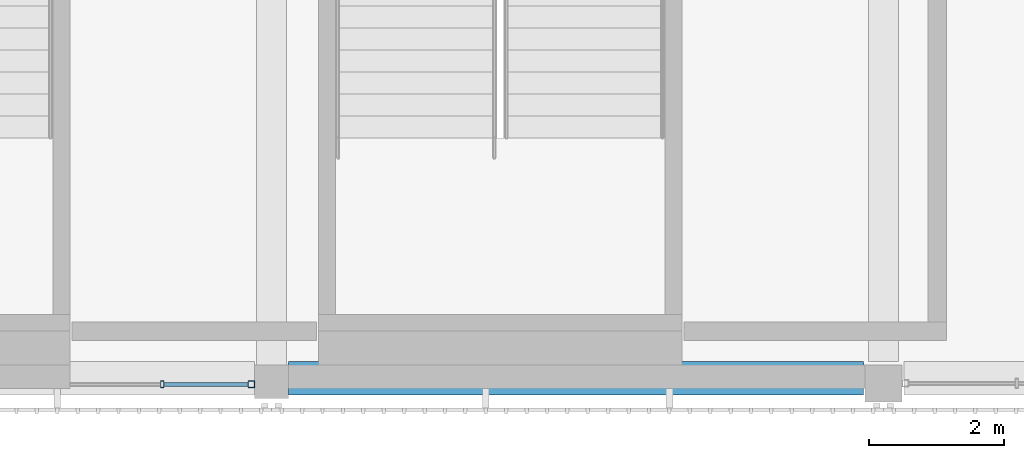
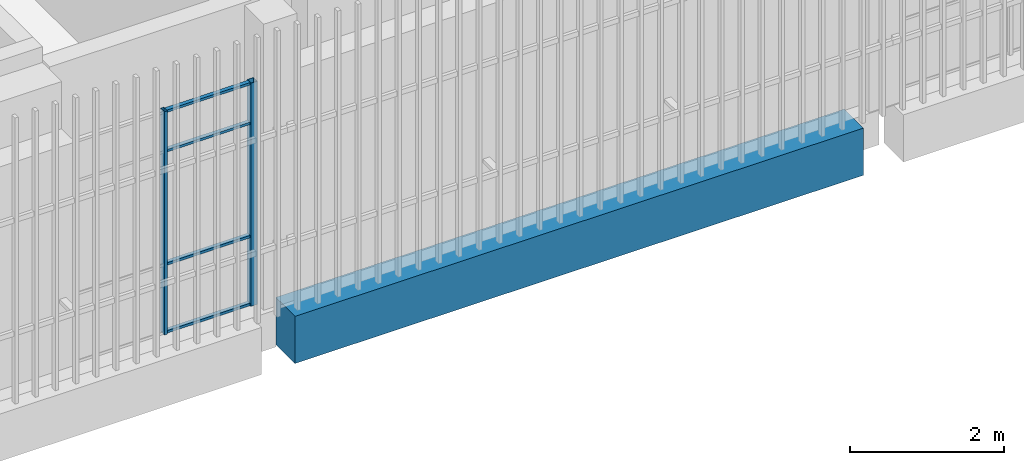
# One storey, part 4 of 139: 6 members, 1 beam, 1 element without a shape of its own.
"""IFC4 building model written with IfcOpenShell, lengths in metres."""

from ifc_helpers import new_model, si_unit, direction, frame, origin, origin_2d, place, context, subcontext, project, spatial, rectangle, hollow_rectangle, extrude, material, layer, layer_set, material_profile, profile_set, type_object, element, aggregate, save


model = new_model("IFC4")

# Units and contexts
model_context = context("Model", 3, precision=1e-05, world=origin(), true_north=direction((0.0, 1.0)))
body_context = subcontext(model_context, "Body", "Model", "MODEL_VIEW")
ifc_project = project(units=[si_unit("LENGTHUNIT", "METRE"), si_unit("AREAUNIT", "SQUARE_METRE"), si_unit("VOLUMEUNIT", "CUBIC_METRE"), si_unit("PLANEANGLEUNIT", "RADIAN"), si_unit("MASSUNIT", "GRAM", prefix="KILO")], contexts=[model_context])

# Site, building, storey
site_placement = place(None, origin())
site = spatial("IfcSite", under=ifc_project, at=site_placement, CompositionType="ELEMENT")
building_placement = place(site_placement, origin())
building = spatial("IfcBuilding", under=site, at=building_placement, Name="Shirokan Park Arena", CompositionType="ELEMENT")
storey_placement = place(building_placement, frame((0.0, 0.0, 15.469970703125)))
storey = spatial("IfcBuildingStorey", under=building, at=storey_placement, Name="L03", CompositionType="ELEMENT", Elevation=15.469970703125)

# Curtain wall, members
ifc_material_1 = material(Name="Steel and glass curtain wall", Category="steel")
ifc_layer = layer(ifc_material_1, 0.1201171875)
ifc_layer_set = layer_set([ifc_layer], Name="Steel and glass curtain wall 120 mm")
curtain_wall_type = type_object("IfcCurtainWallType", Name="Curtain wall corner block side bay 120", PredefinedType="NOTDEFINED", material=ifc_layer_set)
curtain_wall_placement = place(storey_placement, origin())
curtain_wall = element("IfcCurtainWall", 1, at=curtain_wall_placement, inside=storey, type_object=curtain_wall_type, Name="Curtain wall south bay 2 L03", PredefinedType="NOTDEFINED")
ifc_material_2 = material(Name="Steel S355", Category="steel")
ifc_material_profile_1 = material_profile(ifc_material_2, hollow_rectangle(XDim=0.10009765625, YDim=0.10009765625, WallThickness=0.006103515625, at=origin_2d()), Name="RHS 100x100x6")
ifc_profile_set_1 = profile_set([ifc_material_profile_1], Name="Steel S355")
member_type_1 = type_object("IfcMemberType", Name="Mullion RHS 100x100x6", PredefinedType="MULLION", material=ifc_profile_set_1)
member_1_placement = place(storey_placement, frame((17.89990234375, -0.090087890625, 0.0), z_axis=(0.0, 0.0, 1.0), x_axis=(0.0, 1.0, 0.0)))
member_1 = element("IfcMember", 2, at=member_1_placement, type_object=member_type_1, Name="CW3 mullion 3", PredefinedType="MULLION", context=body_context, shape_type="SweptSolid", body=[
    extrude(hollow_rectangle(XDim=0.10009765625, YDim=0.10009765625, WallThickness=0.006103515625, at=origin_2d()), origin(), (0.0, 0.0, 1.0), 3.550048828125),
])
ifc_material_profile_2 = material_profile(ifc_material_2, hollow_rectangle(XDim=0.10009765625, YDim=0.050048828125, WallThickness=0.0048828125, at=origin_2d()), Name="RHS 100x50x5")
ifc_profile_set_2 = profile_set([ifc_material_profile_2], Name="Steel S355")
member_type_2 = type_object("IfcMemberType", Name="Mullion RHS 100x50x5", PredefinedType="MULLION", material=ifc_profile_set_2)
member_2_placement = place(storey_placement, frame((16.574951171875, -0.090087890625, 0.0), z_axis=(0.0, 0.0, 1.0), x_axis=(0.0, 1.0, 0.0)))
member_2 = element("IfcMember", 3, at=member_2_placement, type_object=member_type_2, Name="CW3 mullion 2", PredefinedType="MULLION", context=body_context, shape_type="SweptSolid", body=[
    extrude(hollow_rectangle(XDim=0.10009765625, YDim=0.050048828125, WallThickness=0.0048828125, at=origin_2d()), origin(), (0.0, 0.0, 1.0), 3.550048828125),
])

# Beam
ifc_material_3 = material(Name="Concrete C35", Category="concrete")
ifc_material_profile_3 = material_profile(ifc_material_3, rectangle(XDim=0.5, YDim=0.75, at=origin_2d()), Name="500x750")
ifc_profile_set_3 = profile_set([ifc_material_profile_3], Name="Concrete C35")
beam_type = type_object("IfcBeamType", Name="RC girder 500x750", PredefinedType="BEAM", material=ifc_profile_set_3)
beam_placement = place(storey_placement, frame((18.4501953125, 0.0, -0.675048828125), z_axis=(1.0, 0.0, 0.0), x_axis=(0.0, 1.0, 0.0)))
element("IfcBeam", 4, at=beam_placement, inside=storey, type_object=beam_type, Name="Girder 3A-4A L03", PredefinedType="BEAM", context=body_context, shape_type="SweptSolid", body=[
    extrude(rectangle(XDim=0.5, YDim=0.75, at=origin_2d()), origin(), (0.0, 0.0, 1.0), 8.5498046875),
])

# Member
ifc_material_profile_4 = material_profile(ifc_material_2, hollow_rectangle(XDim=0.06005859375, YDim=0.0400390625, WallThickness=0.00390625, at=origin_2d()), Name="RHS 60x40x4")
ifc_profile_set_4 = profile_set([ifc_material_profile_4], Name="Steel S355")
member_type_3 = type_object("IfcMemberType", Name="Transom RHS 60x40x4", PredefinedType="MULLION", material=ifc_profile_set_4)
member_3_placement = place(storey_placement, frame((16.60009765625, -0.090087890625, 0.02001953125), z_axis=(1.0, 0.0, 0.0), x_axis=(0.0, 1.0, 0.0)))
member_3 = element("IfcMember", 5, at=member_3_placement, type_object=member_type_3, Name="CW3 transom 2.1", PredefinedType="MULLION", context=body_context, shape_type="SweptSolid", body=[
    extrude(hollow_rectangle(XDim=0.06005859375, YDim=0.0400390625, WallThickness=0.00390625, at=origin_2d()), origin(), (0.0, 0.0, 1.0), 1.25),
])

member_4_placement = place(storey_placement, frame((16.60009765625, -0.090087890625, 1.10009765625), z_axis=(1.0, 0.0, 0.0), x_axis=(0.0, 1.0, 0.0)))
member_4 = element("IfcMember", 6, at=member_4_placement, type_object=member_type_3, Name="CW3 transom 2.2", PredefinedType="MULLION", context=body_context, shape_type="SweptSolid", body=[
    extrude(hollow_rectangle(XDim=0.06005859375, YDim=0.0400390625, WallThickness=0.00390625, at=origin_2d()), origin(), (0.0, 0.0, 1.0), 1.25),
])

member_5_placement = place(storey_placement, frame((16.60009765625, -0.090087890625, 2.900146484375), z_axis=(1.0, 0.0, 0.0), x_axis=(0.0, 1.0, 0.0)))
member_5 = element("IfcMember", 7, at=member_5_placement, type_object=member_type_3, Name="CW3 transom 2.3", PredefinedType="MULLION", context=body_context, shape_type="SweptSolid", body=[
    extrude(hollow_rectangle(XDim=0.06005859375, YDim=0.0400390625, WallThickness=0.00390625, at=origin_2d()), origin(), (0.0, 0.0, 1.0), 1.25),
])

member_6_placement = place(storey_placement, frame((16.60009765625, -0.090087890625, 3.530029296875), z_axis=(1.0, 0.0, 0.0), x_axis=(0.0, 1.0, 0.0)))
member_6 = element("IfcMember", 8, at=member_6_placement, type_object=member_type_3, Name="CW3 transom 2.4", PredefinedType="MULLION", context=body_context, shape_type="SweptSolid", body=[
    extrude(hollow_rectangle(XDim=0.06005859375, YDim=0.0400390625, WallThickness=0.00390625, at=origin_2d()), origin(), (0.0, 0.0, 1.0), 1.25),
])

aggregate(curtain_wall, [member_2, member_1, member_3, member_4, member_5, member_6])

save(model, "model.ifc")
